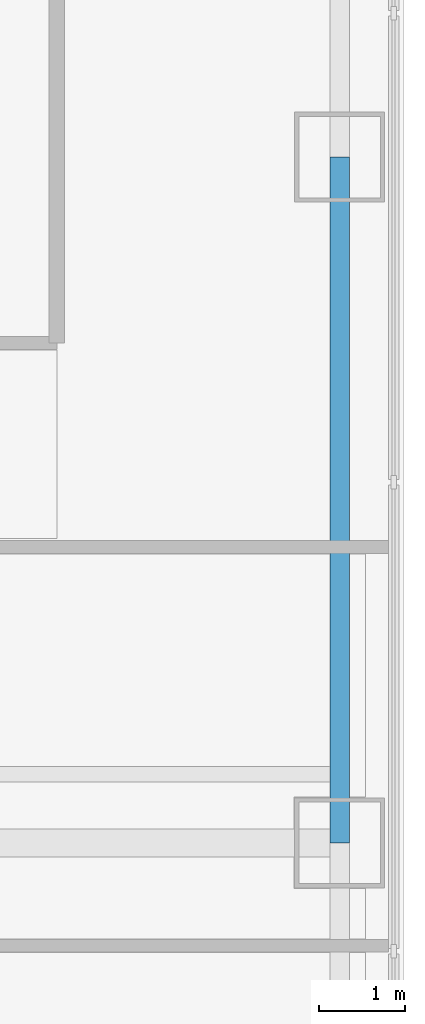
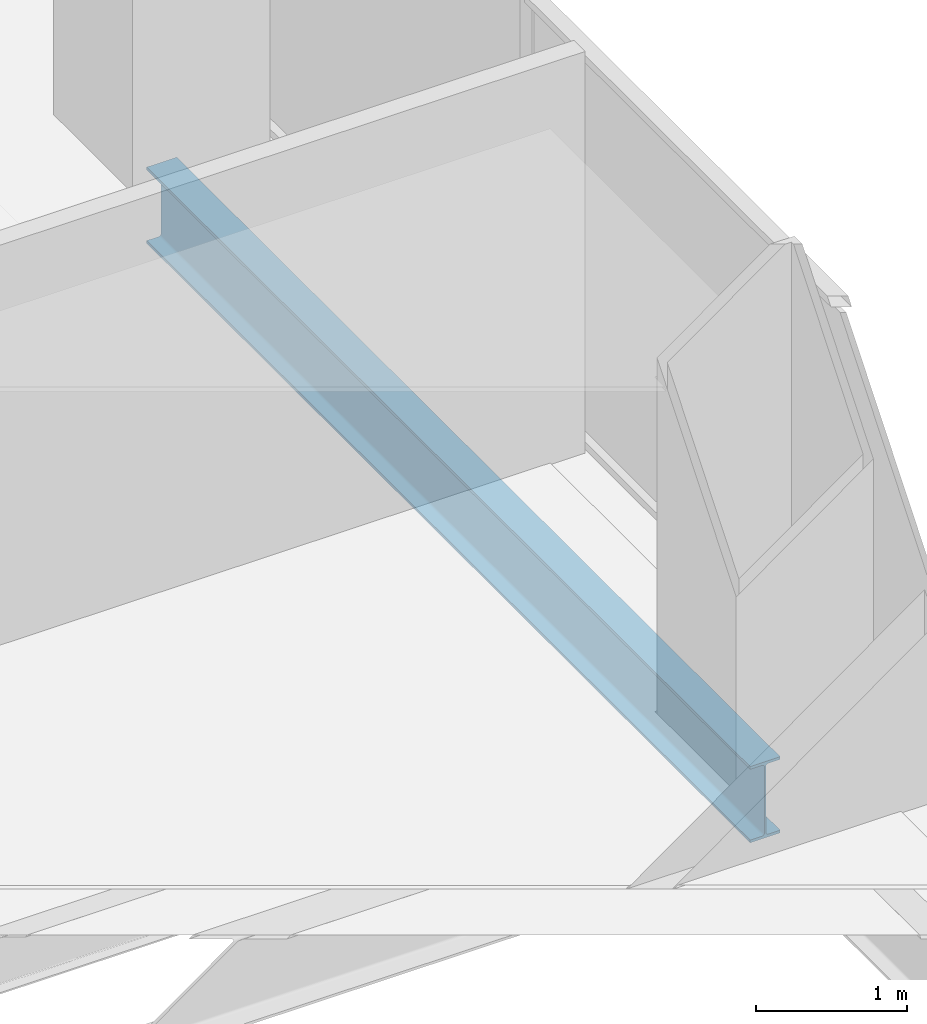
# One storey, part 7 of 17: 1 beam.
"""IFC4 building model written with IfcOpenShell, lengths in metres."""

from ifc_helpers import new_model, si_unit, direction, frame, origin, origin_2d, place, context, subcontext, project, spatial, i_section, extrude, material, material_profile, profile_set, type_object, element, save


model = new_model("IFC4")

# Units and contexts
model_context = context("Model", 3, precision=1e-05, world=origin(), true_north=direction((0.0, 1.0)))
body_context = subcontext(model_context, "Body", "Model", "MODEL_VIEW")
ifc_project = project(units=[si_unit("LENGTHUNIT", "METRE"), si_unit("AREAUNIT", "SQUARE_METRE"), si_unit("VOLUMEUNIT", "CUBIC_METRE"), si_unit("PLANEANGLEUNIT", "RADIAN"), si_unit("MASSUNIT", "GRAM", prefix="KILO")], contexts=[model_context])

# Site, building, storey
site_placement = place(None, origin())
site = spatial("IfcSite", under=ifc_project, at=site_placement, CompositionType="ELEMENT")
building_placement = place(site_placement, origin())
building = spatial("IfcBuilding", under=site, at=building_placement, Name="Trevonay Congress Spire", CompositionType="ELEMENT")
storey_placement = place(building_placement, frame((0.0, 0.0, 30.5)))
storey = spatial("IfcBuildingStorey", under=building, at=storey_placement, Name="L06", CompositionType="ELEMENT", Elevation=30.5)

# Beam
ifc_material = material(Name="Steel ASTM A572 Grade 50", Category="steel")
ifc_material_profile = material_profile(ifc_material, i_section(OverallWidth=0.22998046875, OverallDepth=0.616943359375, WebThickness=0.01318359375, FlangeThickness=0.022216796875, FilletRadius=0.01611328125, at=origin_2d()), Name="W610x140")
ifc_profile_set = profile_set([ifc_material_profile], Name="Steel ASTM A572 Grade 50")
beam_type = type_object("IfcBeamType", Name="BM-RING-W610X140", PredefinedType="BEAM", material=ifc_profile_set)
beam_placement = place(storey_placement, frame((23.25, 4.0, -0.55859375), z_axis=(0.0, 1.0, 0.0), x_axis=(-1.0, 0.0, 0.0)))
element("IfcBeam", 1, at=beam_placement, inside=storey, type_object=beam_type, Name="L06 structural beam BM-L06-PE4", PredefinedType="BEAM", context=body_context, shape_type="SweptSolid", body=[
    extrude(i_section(OverallWidth=0.22998046875, OverallDepth=0.616943359375, WebThickness=0.01318359375, FlangeThickness=0.022216796875, FilletRadius=0.01611328125, at=origin_2d()), origin(), (0.0, 0.0, 1.0), 8.0),
])

save(model, "model.ifc")
